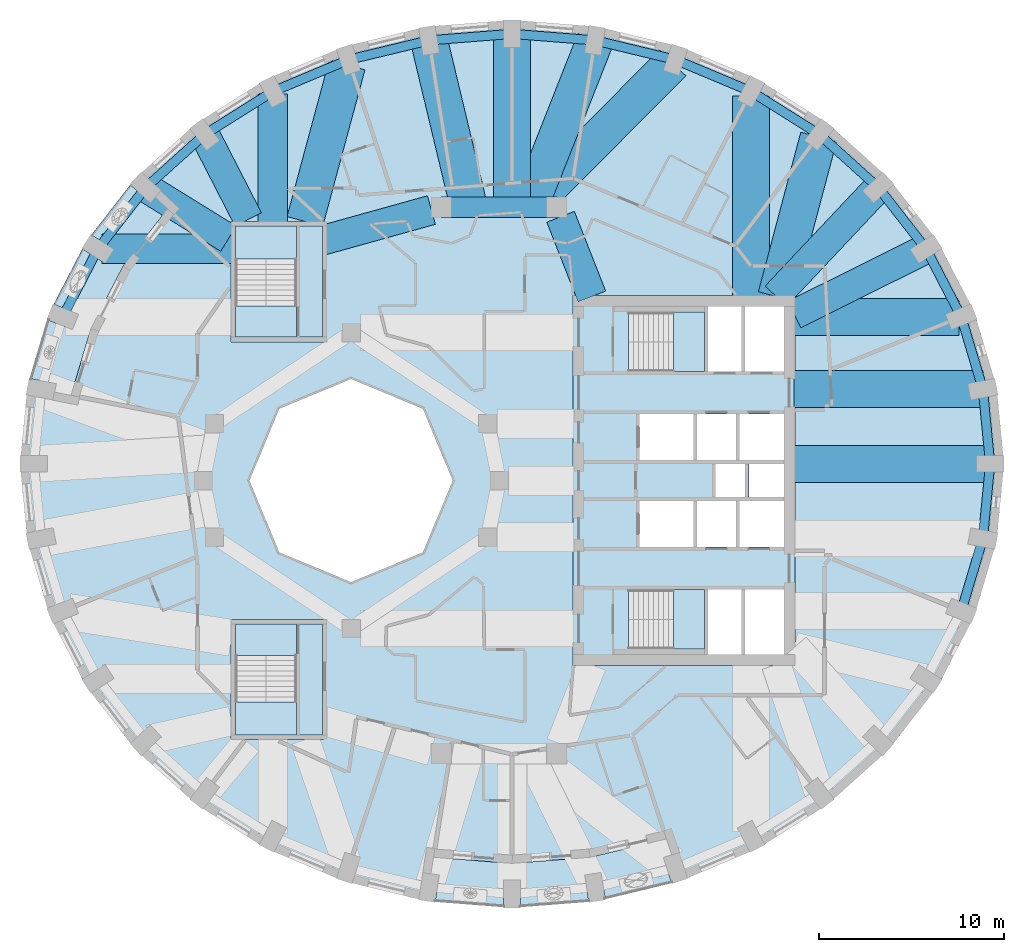
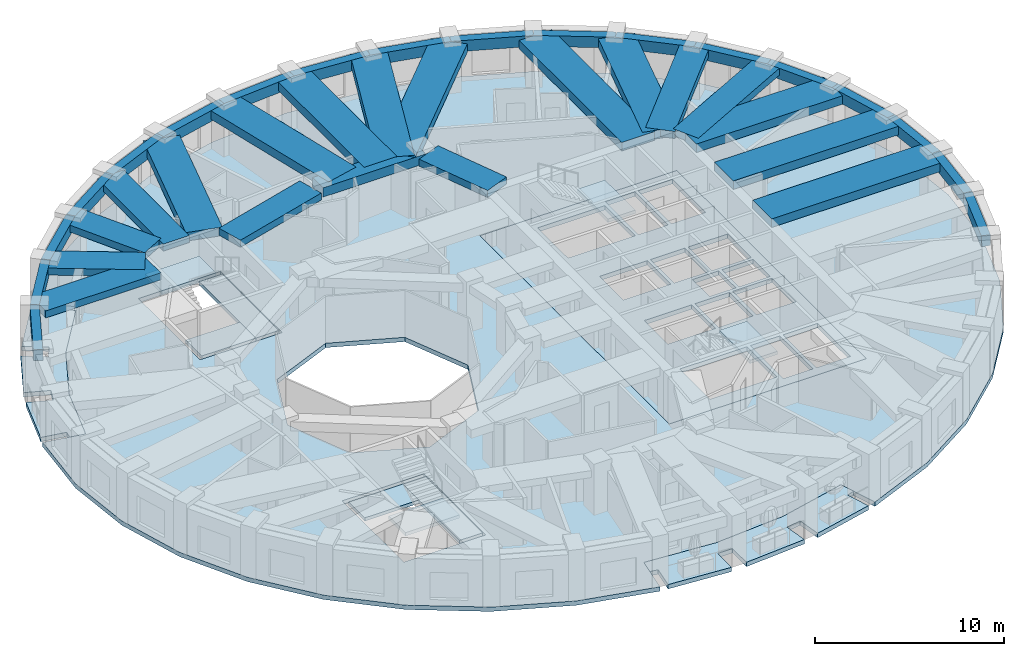
# One storey, part 2 of 12: 37 beams, 12 slabs, 4 elements without a shape of their own.
"""IFC4 building model written with IfcOpenShell, lengths in metres."""

from ifc_helpers import new_model, si_unit, direction, frame, origin, origin_2d, place, context, subcontext, project, spatial, polyline, rectangle, outline, extrude, material, layer, layer_set, material_profile, profile_set, type_object, element, aggregate, save


model = new_model("IFC4")

# Units and contexts
model_context = context("Model", 3, precision=1e-05, world=origin(), true_north=direction((0.0, 1.0)))
body_context = subcontext(model_context, "Body", "Model", "MODEL_VIEW")
ifc_project = project(units=[si_unit("LENGTHUNIT", "METRE"), si_unit("AREAUNIT", "SQUARE_METRE"), si_unit("VOLUMEUNIT", "CUBIC_METRE"), si_unit("PLANEANGLEUNIT", "RADIAN"), si_unit("MASSUNIT", "GRAM", prefix="KILO")], contexts=[model_context])

# Site, building, storey
site_placement = place(None, origin())
site = spatial("IfcSite", under=ifc_project, at=site_placement, CompositionType="ELEMENT")
building_placement = place(site_placement, origin())
building = spatial("IfcBuilding", under=site, at=building_placement, Name="Taillehof Tower", CompositionType="ELEMENT")
storey_placement = place(building_placement, frame((0.0, 0.0, 205.699951171875)))
storey = spatial("IfcBuildingStorey", under=building, at=storey_placement, Name="L58", CompositionType="ELEMENT", Elevation=205.699951171875)

# Beams
ifc_material_1 = material(Name="Concrete C50/60", Category="concrete")
ifc_material_profile_1 = material_profile(ifc_material_1, rectangle(XDim=1.10009765625, YDim=0.60009765625, at=origin_2d()), Name="RC 1100x600")
ifc_profile_set_1 = profile_set([ifc_material_profile_1], Name="Concrete C50/60")
beam_type_1 = type_object("IfcBeamType", Name="Mid-ring beam C50/60 1100x600", PredefinedType="BEAM", material=ifc_profile_set_1)
beam_1_placement = place(storey_placement, frame((3.125732421875, 14.772216796875, 2.719970703125), z_axis=(-1.0, 0.0, 0.0), x_axis=(0.0, -1.0, 0.0)))
element("IfcBeam", 1, at=beam_1_placement, inside=storey, type_object=beam_type_1, Name="Mid-ring beam MB01", PredefinedType="BEAM", context=body_context, shape_type="SweptSolid", body=[
    extrude(rectangle(XDim=1.10009765625, YDim=0.60009765625, at=origin_2d()), origin(), (0.0, 0.0, 1.0), 6.25146484375),
])
ifc_material_2 = material(Name="Concrete C50/60", Category="concrete")
ifc_material_profile_2 = material_profile(ifc_material_2, rectangle(XDim=1.60009765625, YDim=0.449951171875, at=origin_2d()), Name="RC 1600x450")
ifc_profile_set_2 = profile_set([ifc_material_profile_2], Name="Concrete C50/60")
beam_type_2 = type_object("IfcBeamType", Name="Radial band beam C50/60 1600x450", PredefinedType="BEAM", material=ifc_profile_set_2)
beam_2_placement = place(storey_placement, frame((23.086669921875, 12.52490234375, 2.795166015625), z_axis=(-0.895357082848, -0.445348957778, 0.0), x_axis=(0.445348957778, -0.895357082848, 0.0)))
element("IfcBeam", 2, at=beam_2_placement, inside=storey, type_object=beam_type_2, Name="Radial band beam RB04", PredefinedType="BEAM", context=body_context, shape_type="SweptSolid", body=[
    extrude(rectangle(XDim=1.60009765625, YDim=0.449951171875, at=origin_2d()), origin(), (0.0, 0.0, 1.0), 7.96484375),
])
beam_3_placement = place(storey_placement, frame((20.502197265625, 15.8447265625, 2.795166015625), z_axis=(-0.685451470964, -0.728118315217, 0.0), x_axis=(0.728118315217, -0.685451470964, 0.0)))
element("IfcBeam", 3, at=beam_3_placement, inside=storey, type_object=beam_type_2, Name="Radial band beam RB05", PredefinedType="BEAM", context=body_context, shape_type="SweptSolid", body=[
    extrude(rectangle(XDim=1.60009765625, YDim=0.449951171875, at=origin_2d()), origin(), (0.0, 0.0, 1.0), 8.07373046875),
])
beam_4_placement = place(storey_placement, frame((-12.22509765625, 20.9013671875, 2.795166015625), z_axis=(0.0, -1.0, 0.0), x_axis=(1.0, 0.0, 0.0)))
element("IfcBeam", 4, at=beam_4_placement, inside=storey, type_object=beam_type_2, Name="Radial band beam RB13", PredefinedType="BEAM", context=body_context, shape_type="SweptSolid", body=[
    extrude(rectangle(XDim=1.60009765625, YDim=0.449951171875, at=origin_2d()), origin(), (0.0, 0.0, 1.0), 6.951416015625),
])
beam_5_placement = place(storey_placement, frame((-15.916015625, 18.71044921875, 2.795166015625), z_axis=(0.456360793517, -0.889794822496, 0.0), x_axis=(0.889794822496, 0.456360793517, 0.0)))
element("IfcBeam", 5, at=beam_5_placement, inside=storey, type_object=beam_type_2, Name="Radial band beam RB14", PredefinedType="BEAM", context=body_context, shape_type="SweptSolid", body=[
    extrude(rectangle(XDim=1.60009765625, YDim=0.449951171875, at=origin_2d()), origin(), (0.0, 0.0, 1.0), 5.16455078125),
])
beam_6_placement = place(storey_placement, frame((-19.102294921875, 15.8447265625, 2.795166015625), z_axis=(0.850616081395, -0.525787297366, 0.0), x_axis=(0.525787297366, 0.850616081395, 0.0)))
element("IfcBeam", 6, at=beam_6_placement, inside=storey, type_object=beam_type_2, Name="Radial band beam RB15", PredefinedType="BEAM", context=body_context, shape_type="SweptSolid", body=[
    extrude(rectangle(XDim=1.60009765625, YDim=0.449951171875, at=origin_2d()), origin(), (0.0, 0.0, 1.0), 5.260498046875),
])
beam_7_placement = place(storey_placement, frame((-21.47021484375, 12.52490234375, 2.795166015625), z_axis=(1.0, 0.0, 0.0), x_axis=(0.0, 1.0, 0.0)))
element("IfcBeam", 7, at=beam_7_placement, inside=storey, type_object=beam_type_2, Name="Radial band beam RB16", PredefinedType="BEAM", context=body_context, shape_type="SweptSolid", body=[
    extrude(rectangle(XDim=1.60009765625, YDim=0.449951171875, at=origin_2d()), origin(), (0.0, 0.0, 1.0), 7.020263671875),
])
beam_8_placement = place(storey_placement, frame((3.32666015625, 14.26025390625, 2.795166015625), z_axis=(0.365588707223, -0.930776502255, 0.0), x_axis=(0.930776502255, 0.365588707223, 0.0)))
element("IfcBeam", 8, at=beam_8_placement, inside=storey, type_object=beam_type_2, Name="Inner band beam IB205", PredefinedType="BEAM", context=body_context, shape_type="SweptSolid", body=[
    extrude(rectangle(XDim=1.60009765625, YDim=0.449951171875, at=origin_2d()), origin(), (0.0, 0.0, 1.0), 4.627197265625),
])
beam_9_placement = place(storey_placement, frame((-3.655517578125, 14.624755859375, 2.795166015625), z_axis=(-0.963459369536, -0.267854518821, 0.0), x_axis=(0.267854518821, -0.963459369536, 0.0)))
element("IfcBeam", 9, at=beam_9_placement, inside=storey, type_object=beam_type_2, Name="Inner band beam IB206", PredefinedType="BEAM", context=body_context, shape_type="SweptSolid", body=[
    extrude(rectangle(XDim=1.60009765625, YDim=0.449951171875, at=origin_2d()), origin(), (0.0, 0.0, 1.0), 6.096923828125),
])
ifc_material_3 = material(Name="Concrete C50/60", Category="concrete")
ifc_material_profile_3 = material_profile(ifc_material_3, rectangle(XDim=2.0, YDim=0.550048828125, at=origin_2d()), Name="RC 2000x550")
ifc_profile_set_3 = profile_set([ifc_material_profile_3], Name="Concrete C50/60")
beam_type_3 = type_object("IfcBeamType", Name="Radial band beam C50/60 2000x550", PredefinedType="BEAM", material=ifc_profile_set_3)
beam_10_placement = place(storey_placement, frame((26.550048828125, 0.89990234375, 2.7451171875), z_axis=(-1.0, 0.0, 0.0), x_axis=(0.0, -1.0, 0.0)))
element("IfcBeam", 10, at=beam_10_placement, inside=storey, type_object=beam_type_3, Name="Radial band beam RB01", PredefinedType="BEAM", context=body_context, shape_type="SweptSolid", body=[
    extrude(rectangle(XDim=2.0, YDim=0.550048828125, at=origin_2d()), origin(), (0.0, 0.0, 1.0), 10.60009765625),
])
beam_11_placement = place(storey_placement, frame((26.1572265625, 4.937255859375, 2.7451171875), z_axis=(-1.0, 0.0, 0.0), x_axis=(0.0, -1.0, 0.0)))
element("IfcBeam", 11, at=beam_11_placement, inside=storey, type_object=beam_type_3, Name="Radial band beam RB02", PredefinedType="BEAM", context=body_context, shape_type="SweptSolid", body=[
    extrude(rectangle(XDim=2.0, YDim=0.550048828125, at=origin_2d()), origin(), (0.0, 0.0, 1.0), 10.207275390625),
])
beam_12_placement = place(storey_placement, frame((24.856201171875, 8.85205078125, 2.7451171875), z_axis=(-1.0, 0.0, 0.0), x_axis=(0.0, -1.0, 0.0)))
element("IfcBeam", 12, at=beam_12_placement, inside=storey, type_object=beam_type_3, Name="Radial band beam RB03", PredefinedType="BEAM", context=body_context, shape_type="SweptSolid", body=[
    extrude(rectangle(XDim=2.0, YDim=0.550048828125, at=origin_2d()), origin(), (0.0, 0.0, 1.0), 8.90625),
])
beam_13_placement = place(storey_placement, frame((17.28076171875, 18.577880859375, 2.7451171875), z_axis=(-0.256969711091, -0.966419457369, 0.0), x_axis=(0.966419457369, -0.256969711091, 0.0)))
element("IfcBeam", 13, at=beam_13_placement, inside=storey, type_object=beam_type_3, Name="Radial band beam RB06", PredefinedType="BEAM", context=body_context, shape_type="SweptSolid", body=[
    extrude(rectangle(XDim=2.0, YDim=0.550048828125, at=origin_2d()), origin(), (0.0, 0.0, 1.0), 8.926025390625),
])
beam_14_placement = place(storey_placement, frame((13.625, 20.797607421875, 2.7451171875), z_axis=(0.0, -1.0, 0.0), x_axis=(1.0, 0.0, 0.0)))
element("IfcBeam", 14, at=beam_14_placement, inside=storey, type_object=beam_type_3, Name="Radial band beam RB07", PredefinedType="BEAM", context=body_context, shape_type="SweptSolid", body=[
    extrude(rectangle(XDim=2.0, YDim=0.550048828125, at=origin_2d()), origin(), (0.0, 0.0, 1.0), 10.84765625),
])
beam_15_placement = place(storey_placement, frame((9.384765625, 22.590087890625, 2.7451171875), z_axis=(-0.704433609475, -0.709769885133, 0.0), x_axis=(0.709769885133, -0.704433609475, 0.0)))
element("IfcBeam", 15, at=beam_15_placement, inside=storey, type_object=beam_type_3, Name="Radial band beam RB08", PredefinedType="BEAM", context=body_context, shape_type="SweptSolid", body=[
    extrude(rectangle(XDim=2.0, YDim=0.550048828125, at=origin_2d()), origin(), (0.0, 0.0, 1.0), 10.79736328125),
])
beam_16_placement = place(storey_placement, frame((5.188720703125, 23.796875, 2.7451171875), z_axis=(-0.367222105753, -0.930133283485, 0.0), x_axis=(0.930133283485, -0.367222105753, 0.0)))
element("IfcBeam", 16, at=beam_16_placement, inside=storey, type_object=beam_type_3, Name="Radial band beam RB09", PredefinedType="BEAM", context=body_context, shape_type="SweptSolid", body=[
    extrude(rectangle(XDim=2.0, YDim=0.550048828125, at=origin_2d()), origin(), (0.0, 0.0, 1.0), 9.70263671875),
])
beam_17_placement = place(storey_placement, frame((0.699951171875, 24.14990234375, 2.7451171875), z_axis=(0.0, -1.0, 0.0), x_axis=(1.0, 0.0, 0.0)))
element("IfcBeam", 17, at=beam_17_placement, inside=storey, type_object=beam_type_3, Name="Radial band beam RB10", PredefinedType="BEAM", context=body_context, shape_type="SweptSolid", body=[
    extrude(rectangle(XDim=2.0, YDim=0.550048828125, at=origin_2d()), origin(), (0.0, 0.0, 1.0), 9.377685546875),
])
beam_18_placement = place(storey_placement, frame((-3.788818359375, 23.796875, 2.7451171875), z_axis=(0.233084395558, -0.972456510363, 0.0), x_axis=(0.972456510363, 0.233084395558, 0.0)))
element("IfcBeam", 18, at=beam_18_placement, inside=storey, type_object=beam_type_3, Name="Radial band beam RB11", PredefinedType="BEAM", context=body_context, shape_type="SweptSolid", body=[
    extrude(rectangle(XDim=2.0, YDim=0.550048828125, at=origin_2d()), origin(), (0.0, 0.0, 1.0), 9.2802734375),
])
beam_19_placement = place(storey_placement, frame((-8.2177734375, 22.464111328125, 2.7451171875), z_axis=(-0.260346436551, -0.965515268121, 0.0), x_axis=(0.965515268121, -0.260346436551, 0.0)))
element("IfcBeam", 19, at=beam_19_placement, inside=storey, type_object=beam_type_3, Name="Radial band beam RB12", PredefinedType="BEAM", context=body_context, shape_type="SweptSolid", body=[
    extrude(rectangle(XDim=2.0, YDim=0.550048828125, at=origin_2d()), origin(), (0.0, 0.0, 1.0), 8.755859375),
])
ifc_material_4 = material(Name="Concrete C50/60", Category="concrete")
ifc_material_profile_4 = material_profile(ifc_material_4, rectangle(XDim=0.5, YDim=0.699951171875, at=origin_2d()), Name="RC 500x700")
ifc_profile_set_4 = profile_set([ifc_material_profile_4], Name="Concrete C50/60")
beam_type_4 = type_object("IfcBeamType", Name="Spandrel beam C50/60 500x700", PredefinedType="SPANDREL", material=ifc_profile_set_4)
beam_20_placement = place(storey_placement, frame((26.550048828125, 0.89990234375, 2.670166015625), z_axis=(-0.096839674059, 0.995299993735, 0.0), x_axis=(-0.995299993735, -0.096839674059, 0.0)))
element("IfcBeam", 20, at=beam_20_placement, inside=storey, type_object=beam_type_4, Name="Spandrel beam SB01", PredefinedType="SPANDREL", context=body_context, shape_type="SweptSolid", body=[
    extrude(rectangle(XDim=0.5, YDim=0.699951171875, at=origin_2d()), origin(), (0.0, 0.0, 1.0), 4.056396484375),
])
beam_21_placement = place(storey_placement, frame((26.1572265625, 4.937255859375, 2.670166015625), z_axis=(-0.285510458946, 0.9583755933, 0.0), x_axis=(-0.9583755933, -0.285510458946, 0.0)))
element("IfcBeam", 21, at=beam_21_placement, inside=storey, type_object=beam_type_4, Name="Spandrel beam SB02", PredefinedType="SPANDREL", context=body_context, shape_type="SweptSolid", body=[
    extrude(rectangle(XDim=0.5, YDim=0.699951171875, at=origin_2d()), origin(), (0.0, 0.0, 1.0), 4.084716796875),
])
beam_22_placement = place(storey_placement, frame((24.990966796875, 8.85205078125, 2.670166015625), z_axis=(-0.460289604274, 0.887768821371, 0.0), x_axis=(-0.887768821371, -0.460289604274, 0.0)))
element("IfcBeam", 22, at=beam_22_placement, inside=storey, type_object=beam_type_4, Name="Spandrel beam SB03", PredefinedType="SPANDREL", context=body_context, shape_type="SweptSolid", body=[
    extrude(rectangle(XDim=0.5, YDim=0.699951171875, at=origin_2d()), origin(), (0.0, 0.0, 1.0), 4.13720703125),
])
beam_23_placement = place(storey_placement, frame((23.086669921875, 12.52490234375, 2.670166015625), z_axis=(-0.614294081938, 0.789077170432, 0.0), x_axis=(-0.789077170432, -0.614294081938, 0.0)))
element("IfcBeam", 23, at=beam_23_placement, inside=storey, type_object=beam_type_4, Name="Spandrel beam SB04", PredefinedType="SPANDREL", context=body_context, shape_type="SweptSolid", body=[
    extrude(rectangle(XDim=0.5, YDim=0.699951171875, at=origin_2d()), origin(), (0.0, 0.0, 1.0), 4.207275390625),
])
beam_24_placement = place(storey_placement, frame((20.502197265625, 15.8447265625, 2.670166015625), z_axis=(-0.743492416006, 0.668744366213, 0.0), x_axis=(-0.668744366213, -0.743492416006, 0.0)))
element("IfcBeam", 24, at=beam_24_placement, inside=storey, type_object=beam_type_4, Name="Spandrel beam SB05", PredefinedType="SPANDREL", context=body_context, shape_type="SweptSolid", body=[
    extrude(rectangle(XDim=0.5, YDim=0.699951171875, at=origin_2d()), origin(), (0.0, 0.0, 1.0), 4.28515625),
])
beam_25_placement = place(storey_placement, frame((17.316162109375, 18.71044921875, 2.670166015625), z_axis=(-0.846166475687, 0.532918657417, 0.0), x_axis=(-0.532918657417, -0.846166475687, 0.0)))
element("IfcBeam", 25, at=beam_25_placement, inside=storey, type_object=beam_type_4, Name="Spandrel beam SB06", PredefinedType="SPANDREL", context=body_context, shape_type="SweptSolid", body=[
    extrude(rectangle(XDim=0.5, YDim=0.699951171875, at=origin_2d()), origin(), (0.0, 0.0, 1.0), 4.3623046875),
])
beam_26_placement = place(storey_placement, frame((13.625, 21.03515625, 2.670166015625), z_axis=(-0.92218550199, 0.386747850569, 0.0), x_axis=(-0.386747850569, -0.92218550199, 0.0)))
element("IfcBeam", 26, at=beam_26_placement, inside=storey, type_object=beam_type_4, Name="Spandrel beam SB07", PredefinedType="SPANDREL", context=body_context, shape_type="SweptSolid", body=[
    extrude(rectangle(XDim=0.5, YDim=0.699951171875, at=origin_2d()), origin(), (0.0, 0.0, 1.0), 4.42822265625),
])
beam_27_placement = place(storey_placement, frame((9.541259765625, 22.747802734375, 2.670166015625), z_axis=(-0.972160640613, 0.234315361943, 0.0), x_axis=(-0.234315361943, -0.972160640613, 0.0)))
element("IfcBeam", 27, at=beam_27_placement, inside=storey, type_object=beam_type_4, Name="Spandrel beam SB08", PredefinedType="SPANDREL", context=body_context, shape_type="SweptSolid", body=[
    extrude(rectangle(XDim=0.5, YDim=0.699951171875, at=origin_2d()), origin(), (0.0, 0.0, 1.0), 4.477294921875),
])
for number, where, z_axis, x_axis, name in (
    (28, (5.188720703125, 23.796875, 2.670166015625), (-0.996921613963, 0.078404691275, 0.0), (-0.078404691275, -0.996921613963, 0.0), "Spandrel beam SB09"),
    (29, (0.699951171875, 24.14990234375, 2.670166015625), (-0.996921613963, -0.078404691275, 0.0), (0.078404691275, -0.996921613963, 0.0), "Spandrel beam SB10"),
):
    element("IfcBeam", number, at=place(storey_placement, frame(where, z_axis=z_axis, x_axis=x_axis)), inside=storey, type_object=beam_type_4, Name=name, PredefinedType="SPANDREL", context=body_context, shape_type="SweptSolid", body=[
        extrude(rectangle(XDim=0.5, YDim=0.699951171875, at=origin_2d()), origin(), (0.0, 0.0, 1.0), 4.502685546875),
    ])
beam_28_placement = place(storey_placement, frame((-3.788818359375, 23.796875, 2.670166015625), z_axis=(-0.972157646478, -0.234327784087, 0.0), x_axis=(0.234327784087, -0.972157646478, 0.0)))
element("IfcBeam", 30, at=beam_28_placement, inside=storey, type_object=beam_type_4, Name="Spandrel beam SB11", PredefinedType="SPANDREL", context=body_context, shape_type="SweptSolid", body=[
    extrude(rectangle(XDim=0.5, YDim=0.699951171875, at=origin_2d()), origin(), (0.0, 0.0, 1.0), 4.47705078125),
])
beam_29_placement = place(storey_placement, frame((-8.14111328125, 22.747802734375, 2.670166015625), z_axis=(-0.922193747603, -0.386728188632, 0.0), x_axis=(0.386728188632, -0.922193747603, 0.0)))
element("IfcBeam", 31, at=beam_29_placement, inside=storey, type_object=beam_type_4, Name="Spandrel beam SB12", PredefinedType="SPANDREL", context=body_context, shape_type="SweptSolid", body=[
    extrude(rectangle(XDim=0.5, YDim=0.699951171875, at=origin_2d()), origin(), (0.0, 0.0, 1.0), 4.428466796875),
])
beam_30_placement = place(storey_placement, frame((-12.22509765625, 21.03515625, 2.670166015625), z_axis=(-0.846150579775, -0.532943896059, 0.0), x_axis=(0.532943896059, -0.846150579775, 0.0)))
element("IfcBeam", 32, at=beam_30_placement, inside=storey, type_object=beam_type_4, Name="Spandrel beam SB13", PredefinedType="SPANDREL", context=body_context, shape_type="SweptSolid", body=[
    extrude(rectangle(XDim=0.5, YDim=0.699951171875, at=origin_2d()), origin(), (0.0, 0.0, 1.0), 4.362060546875),
])
beam_31_placement = place(storey_placement, frame((-15.916015625, 18.71044921875, 2.670166015625), z_axis=(-0.743517893617, -0.668716039789, 0.0), x_axis=(0.668716039789, -0.743517893617, 0.0)))
element("IfcBeam", 33, at=beam_31_placement, inside=storey, type_object=beam_type_4, Name="Spandrel beam SB14", PredefinedType="SPANDREL", context=body_context, shape_type="SweptSolid", body=[
    extrude(rectangle(XDim=0.5, YDim=0.699951171875, at=origin_2d()), origin(), (0.0, 0.0, 1.0), 4.285400390625),
])
beam_32_placement = place(storey_placement, frame((-19.102294921875, 15.8447265625, 2.670166015625), z_axis=(-0.614294081938, -0.789077170432, 0.0), x_axis=(0.789077170432, -0.614294081938, 0.0)))
element("IfcBeam", 34, at=beam_32_placement, inside=storey, type_object=beam_type_4, Name="Spandrel beam SB15", PredefinedType="SPANDREL", context=body_context, shape_type="SweptSolid", body=[
    extrude(rectangle(XDim=0.5, YDim=0.699951171875, at=origin_2d()), origin(), (0.0, 0.0, 1.0), 4.207275390625),
])
beam_33_placement = place(storey_placement, frame((-21.686767578125, 12.52490234375, 2.670166015625), z_axis=(-0.460289604274, -0.887768821371, 0.0), x_axis=(0.887768821371, -0.460289604274, 0.0)))
element("IfcBeam", 35, at=beam_33_placement, inside=storey, type_object=beam_type_4, Name="Spandrel beam SB16", PredefinedType="SPANDREL", context=body_context, shape_type="SweptSolid", body=[
    extrude(rectangle(XDim=0.5, YDim=0.699951171875, at=origin_2d()), origin(), (0.0, 0.0, 1.0), 4.13720703125),
])
beam_34_placement = place(storey_placement, frame((24.990966796875, -7.052001953125, 2.670166015625), z_axis=(0.285510458946, 0.9583755933, 0.0), x_axis=(-0.9583755933, 0.285510458946, 0.0)))
element("IfcBeam", 36, at=beam_34_placement, inside=storey, type_object=beam_type_4, Name="Spandrel beam SB35", PredefinedType="SPANDREL", context=body_context, shape_type="SweptSolid", body=[
    extrude(rectangle(XDim=0.5, YDim=0.699951171875, at=origin_2d()), origin(), (0.0, 0.0, 1.0), 4.084716796875),
])
beam_35_placement = place(storey_placement, frame((26.1572265625, -3.13720703125, 2.670166015625), z_axis=(0.096845475428, 0.995299429262, 0.0), x_axis=(-0.995299429262, 0.096845475428, 0.0)))
element("IfcBeam", 37, at=beam_35_placement, inside=storey, type_object=beam_type_4, Name="Spandrel beam SB36", PredefinedType="SPANDREL", context=body_context, shape_type="SweptSolid", body=[
    extrude(rectangle(XDim=0.5, YDim=0.699951171875, at=origin_2d()), origin(), (0.0, 0.0, 1.0), 4.05615234375),
])

# Slabs
ifc_material_5 = material(Name="Concrete C40/50", Category="concrete")
ifc_layer_1 = layer(ifc_material_5, 0.280029296875)
ifc_layer_set_1 = layer_set([ifc_layer_1], Name="Balcony slab 280")
slab_type_1 = type_object("IfcSlabType", Name="Balcony slab 280", PredefinedType="USERDEFINED", material=ifc_layer_set_1)
slab_1_placement = place(storey_placement, frame((0.0, 0.0, -0.280029296875)))
element("IfcSlab", 38, at=slab_1_placement, inside=storey, type_object=slab_type_1, Name="Balcony L58 pocket 4", ObjectType="BALCONY", PredefinedType="USERDEFINED", context=body_context, shape_type="SweptSolid", body=[
    extrude(outline(polyline([(-23.140380859375, 4.607177734375), (-24.02392578125, 4.77978515625), (-23.934814453125, 5.235107421875), (-25.36328125, 5.51416015625), (-24.417236328125, 8.699951171875), (-23.06396484375, 8.154052734375), (-22.72705078125, 8.98876953125), (-24.076416015625, 9.532958984375), (-22.528076171875, 12.529052734375), (-21.297607421875, 11.74169921875), (-20.8125, 12.499755859375), (-22.0380859375, 13.2841796875), (-19.93017578125, 16.000244140625), (-18.859619140625, 15.004638671875), (-18.5791015625, 15.30615234375), (-17.91943359375, 14.6923828125), (-20.314697265625, 11.6064453125), (-22.070068359375, 8.210693359375), (-23.140380859375, 4.607177734375)])), origin(), (0.0, 0.0, 1.0), 0.280029296875),
])
slab_2_placement = place(storey_placement, frame((0.0, 0.0, -0.280029296875)))
element("IfcSlab", 39, at=slab_2_placement, inside=storey, type_object=slab_type_1, Name="Balcony L58 pocket 8", ObjectType="BALCONY", PredefinedType="USERDEFINED", context=body_context, shape_type="SweptSolid", body=[
    extrude(outline(polyline([(9.048828125, -19.372314453125), (9.329833984375, -20.227783203125), (8.879638671875, -20.375732421875), (9.335693359375, -21.764404296875), (5.74560546875, -22.63232421875), (5.515380859375, -21.185302734375), (4.62646484375, -21.326904296875), (4.8564453125, -22.77197265625), (1.14990234375, -23.064453125), (1.14990234375, -21.60009765625), (0.25, -21.60009765625), (0.25, -23.064453125), (-3.45654296875, -22.77197265625), (-3.2265625, -21.326904296875), (-3.683349609375, -21.254150390625), (-3.5419921875, -20.365234375), (0.699951171875, -20.699951171875), (4.94189453125, -20.365234375), (9.048828125, -19.372314453125)])), origin(), (0.0, 0.0, 1.0), 0.280029296875),
])
ifc_material_6 = material(Name="Concrete C40/50", Category="concrete")
ifc_layer_2 = layer(ifc_material_6, 0.280029296875)
ifc_layer_set_2 = layer_set([ifc_layer_2], Name="Core floor slab C40/50 280")
slab_type_2 = type_object("IfcSlabType", Name="Core floor slab C40/50 280", PredefinedType="FLOOR", material=ifc_layer_set_2)
slab_3_placement = place(storey_placement, frame((0.0, 0.0, -0.280029296875)))
element("IfcSlab", 40, at=slab_3_placement, inside=storey, type_object=slab_type_2, Name="Core floor L58", PredefinedType="FLOOR", context=body_context, shape_type="SweptSolid", body=[
    extrude(outline(polyline([(4.0, -10.0), (4.0, 10.0), (16.0, 10.0), (16.0, -10.0), (4.0, -10.0)]), holes=[polyline([(11.10009765625, -9.10009765625), (11.10009765625, -5.89990234375), (7.00048828125, -5.89990234375), (7.00048828125, -9.10009765625), (11.10009765625, -9.10009765625)]), polyline([(10.5, -3.60009765625), (10.5, -1.10009765625), (7.60009765625, -1.10009765625), (7.60009765625, -3.60009765625), (10.5, -3.60009765625)]), polyline([(12.800048828125, -3.60009765625), (12.800048828125, -1.10009765625), (10.699951171875, -1.10009765625), (10.699951171875, -3.60009765625), (12.800048828125, -3.60009765625)]), polyline([(10.5, 1.10009765625), (10.5, 3.60009765625), (7.60009765625, 3.60009765625), (7.60009765625, 1.10009765625), (10.5, 1.10009765625)]), polyline([(12.800048828125, 1.10009765625), (12.800048828125, 3.60009765625), (10.699951171875, 3.60009765625), (10.699951171875, 1.10009765625), (12.800048828125, 1.10009765625)]), polyline([(11.10009765625, 5.89990234375), (11.10009765625, 9.10009765625), (7.00048828125, 9.10009765625), (7.00048828125, 5.89990234375), (11.10009765625, 5.89990234375)]), polyline([(13.10009765625, 5.89990234375), (13.10009765625, 9.39990234375), (11.300048828125, 9.39990234375), (11.300048828125, 5.89990234375), (13.10009765625, 5.89990234375)]), polyline([(13.10009765625, -5.89990234375), (11.300048828125, -5.89990234375), (11.300048828125, -9.39990234375), (13.10009765625, -9.39990234375), (13.10009765625, -5.89990234375)]), polyline([(15.39990234375, -9.39990234375), (15.39990234375, -5.89990234375), (13.300048828125, -5.89990234375), (13.300048828125, -9.39990234375), (15.39990234375, -9.39990234375)]), polyline([(15.39990234375, -3.60009765625), (15.39990234375, -1.10009765625), (13.0, -1.10009765625), (13.0, -3.60009765625), (15.39990234375, -3.60009765625)]), polyline([(13.300048828125, -0.89990234375), (13.300048828125, 0.89990234375), (11.699951171875, 0.89990234375), (11.699951171875, -0.89990234375), (13.300048828125, -0.89990234375)]), polyline([(15.39990234375, -0.89990234375), (15.39990234375, 0.89990234375), (13.5, 0.89990234375), (13.5, -0.89990234375), (15.39990234375, -0.89990234375)]), polyline([(15.39990234375, 1.10009765625), (15.39990234375, 3.60009765625), (13.0, 3.60009765625), (13.0, 1.10009765625), (15.39990234375, 1.10009765625)]), polyline([(15.39990234375, 5.89990234375), (15.39990234375, 9.39990234375), (13.300048828125, 9.39990234375), (13.300048828125, 5.89990234375), (15.39990234375, 5.89990234375)])]), origin(), (0.0, 0.0, 1.0), 0.280029296875),
])
ifc_material_7 = material(Name="Concrete C40/50", Category="concrete")
ifc_layer_3 = layer(ifc_material_7, 0.280029296875)
ifc_layer_set_3 = layer_set([ifc_layer_3], Name="Floor slab 280")
slab_type_3 = type_object("IfcSlabType", Name="Floor slab 280", PredefinedType="FLOOR", material=ifc_layer_set_3)
slab_4_placement = place(storey_placement, frame((0.0, 0.0, -0.280029296875)))
element("IfcSlab", 41, at=slab_4_placement, inside=storey, type_object=slab_type_3, Name="Floor slab L58", PredefinedType="FLOOR", context=body_context, shape_type="SweptSolid", body=[
    extrude(outline(polyline([(27.300048828125, 0.89990234375), (26.89599609375, 5.067626953125), (25.69580078125, 9.1083984375), (23.736328125, 12.89990234375), (21.076904296875, 16.326904296875), (17.798095703125, 19.28515625), (14.0, 21.6845703125), (9.797607421875, 23.45263671875), (5.319091796875, 24.535400390625), (0.699951171875, 24.89990234375), (-3.9189453125, 24.535400390625), (-8.397705078125, 23.45263671875), (-12.60009765625, 21.6845703125), (-16.398193359375, 19.28515625), (-19.6767578125, 16.326904296875), (-17.919189453125, 14.6923828125), (-20.314697265625, 11.6064453125), (-22.070068359375, 8.210693359375), (-23.140380859375, 4.607177734375), (-25.495849609375, 5.067626953125), (-25.89990234375, 0.89990234375), (-25.495849609375, -3.267578125), (-24.2958984375, -7.30859375), (-22.336181640625, -11.10009765625), (-19.6767578125, -14.52685546875), (-16.398193359375, -17.485107421875), (-12.60009765625, -19.884521484375), (-8.397705078125, -21.652587890625), (-3.9189453125, -22.7353515625), (-3.5419921875, -20.365234375), (0.699951171875, -20.699951171875), (4.94189453125, -20.365234375), (9.048828125, -19.372314453125), (9.797607421875, -21.652587890625), (14.0, -19.884521484375), (17.798095703125, -17.485107421875), (21.076904296875, -14.52685546875), (23.736328125, -11.10009765625), (25.69580078125, -7.30859375), (26.89599609375, -3.267578125), (27.300048828125, 0.89990234375)]), holes=[polyline([(-14.5, -7.5), (-9.5, -7.5), (-9.5, -14.0), (-14.5, -14.0), (-14.5, -7.5)]), polyline([(-8.0, -5.5), (-11.88916015625, -3.88916015625), (-13.5, 0.0), (-11.88916015625, 3.88916015625), (-8.0, 5.5), (-4.11083984375, 3.88916015625), (-2.5, 0.0), (-4.11083984375, -3.88916015625), (-8.0, -5.5)]), polyline([(16.0, 10.0), (16.0, -10.0), (4.0, -10.0), (4.0, 10.0), (16.0, 10.0)]), polyline([(-14.5, 14.0), (-9.5, 14.0), (-9.5, 7.5), (-14.5, 7.5), (-14.5, 14.0)])]), origin(), (0.0, 0.0, 1.0), 0.280029296875),
])

# Stair, slab
ifc_material_8 = material(Name="Concrete C40/50", Category="concrete")
stair_type = type_object("IfcStairType", Name="Exit stair half-turn", PredefinedType="HALF_TURN_STAIR", material=ifc_material_8)
stair_1_placement = place(storey_placement, origin())
stair_1 = element("IfcStair", 42, at=stair_1_placement, inside=storey, type_object=stair_type, Name="Exit stair S1", PredefinedType="HALF_TURN_STAIR")
ifc_material_9 = material(Name="Concrete C40/50", Category="concrete")
ifc_layer_4 = layer(ifc_material_9, 0.2099609375)
ifc_layer_set_4 = layer_set([ifc_layer_4], Name="Stair landing C40/50 210")
slab_type_4 = type_object("IfcSlabType", Name="Stair landing C40/50 210", PredefinedType="LANDING", material=ifc_layer_set_4)
slab_5_placement = place(storey_placement, frame((0.0, 0.0, 1.43994140625)))
slab_5 = element("IfcSlab", 43, at=slab_5_placement, type_object=slab_type_4, Name="S1 landing 1", PredefinedType="LANDING", context=body_context, shape_type="SweptSolid", body=[
    extrude(outline(polyline([(9.429931640625, 5.89990234375), (11.10009765625, 5.89990234375), (11.10009765625, 9.10009765625), (9.429931640625, 9.10009765625), (9.429931640625, 5.89990234375)])), origin(), (0.0, 0.0, 1.0), 0.210205078125),
])
aggregate(stair_1, [slab_5])

stair_2_placement = place(storey_placement, origin())
stair_2 = element("IfcStair", 44, at=stair_2_placement, inside=storey, type_object=stair_type, Name="Exit stair S2", PredefinedType="HALF_TURN_STAIR")
slab_6_placement = place(storey_placement, frame((0.0, 0.0, 1.43994140625)))
slab_6 = element("IfcSlab", 45, at=slab_6_placement, type_object=slab_type_4, Name="S2 landing 1", PredefinedType="LANDING", context=body_context, shape_type="SweptSolid", body=[
    extrude(outline(polyline([(9.429931640625, -5.89990234375), (11.10009765625, -5.89990234375), (11.10009765625, -9.10009765625), (9.429931640625, -9.10009765625), (9.429931640625, -5.89990234375)])), origin(), (0.0, 0.0, 1.0), 0.210205078125),
])
aggregate(stair_2, [slab_6])

stair_3_placement = place(storey_placement, origin())
stair_3 = element("IfcStair", 46, at=stair_3_placement, inside=storey, type_object=stair_type, Name="Exit stair S3", PredefinedType="HALF_TURN_STAIR")
slab_7_placement = place(storey_placement, frame((0.0, 0.0, 1.43994140625)))
slab_7 = element("IfcSlab", 47, at=slab_7_placement, type_object=slab_type_4, Name="S3 landing 1", PredefinedType="LANDING", context=body_context, shape_type="SweptSolid", body=[
    extrude(outline(polyline([(-14.25, 11.969970703125), (-14.25, 13.75), (-10.949951171875, 13.75), (-10.949951171875, 11.969970703125), (-14.25, 11.969970703125)])), origin(), (0.0, 0.0, 1.0), 0.210205078125),
])
aggregate(stair_3, [slab_7])

stair_4_placement = place(storey_placement, origin())
stair_4 = element("IfcStair", 48, at=stair_4_placement, inside=storey, type_object=stair_type, Name="Exit stair S4", PredefinedType="HALF_TURN_STAIR")
slab_8_placement = place(storey_placement, frame((0.0, 0.0, 1.43994140625)))
slab_8 = element("IfcSlab", 49, at=slab_8_placement, type_object=slab_type_4, Name="S4 landing 1", PredefinedType="LANDING", context=body_context, shape_type="SweptSolid", body=[
    extrude(outline(polyline([(-14.25, -11.969970703125), (-14.25, -13.75), (-10.949951171875, -13.75), (-10.949951171875, -11.969970703125), (-14.25, -11.969970703125)])), origin(), (0.0, 0.0, 1.0), 0.210205078125),
])
aggregate(stair_4, [slab_8])

# Slabs
slab_9_placement = place(storey_placement, frame((0.0, 0.0, -0.2099609375)))
element("IfcSlab", 50, at=slab_9_placement, inside=storey, type_object=slab_type_4, Name="Stair S3 floor landing", PredefinedType="LANDING", context=body_context, shape_type="SweptSolid", body=[
    extrude(outline(polyline([(-14.25, 7.75), (-14.25, 9.449951171875), (-10.949951171875, 9.449951171875), (-10.949951171875, 7.75), (-14.25, 7.75)])), origin(), (0.0, 0.0, 1.0), 0.2099609375),
])
slab_10_placement = place(storey_placement, frame((0.0, 0.0, -0.2099609375)))
element("IfcSlab", 51, at=slab_10_placement, inside=storey, type_object=slab_type_4, Name="Stair lobby S3 floor", PredefinedType="LANDING", context=body_context, shape_type="SweptSolid", body=[
    extrude(outline(polyline([(-10.949951171875, 7.75), (-9.550048828125, 7.75), (-9.550048828125, 13.75), (-10.949951171875, 13.75), (-10.949951171875, 7.75)])), origin(), (0.0, 0.0, 1.0), 0.2099609375),
])
slab_11_placement = place(storey_placement, frame((0.0, 0.0, -0.2099609375)))
element("IfcSlab", 52, at=slab_11_placement, inside=storey, type_object=slab_type_4, Name="Stair S4 floor landing", PredefinedType="LANDING", context=body_context, shape_type="SweptSolid", body=[
    extrude(outline(polyline([(-14.25, -7.75), (-14.25, -9.449951171875), (-10.949951171875, -9.449951171875), (-10.949951171875, -7.75), (-14.25, -7.75)])), origin(), (0.0, 0.0, 1.0), 0.2099609375),
])
slab_12_placement = place(storey_placement, frame((0.0, 0.0, -0.2099609375)))
element("IfcSlab", 53, at=slab_12_placement, inside=storey, type_object=slab_type_4, Name="Stair lobby S4 floor", PredefinedType="LANDING", context=body_context, shape_type="SweptSolid", body=[
    extrude(outline(polyline([(-10.949951171875, -13.75), (-9.550048828125, -13.75), (-9.550048828125, -7.75), (-10.949951171875, -7.75), (-10.949951171875, -13.75)])), origin(), (0.0, 0.0, 1.0), 0.2099609375),
])

save(model, "model.ifc")
